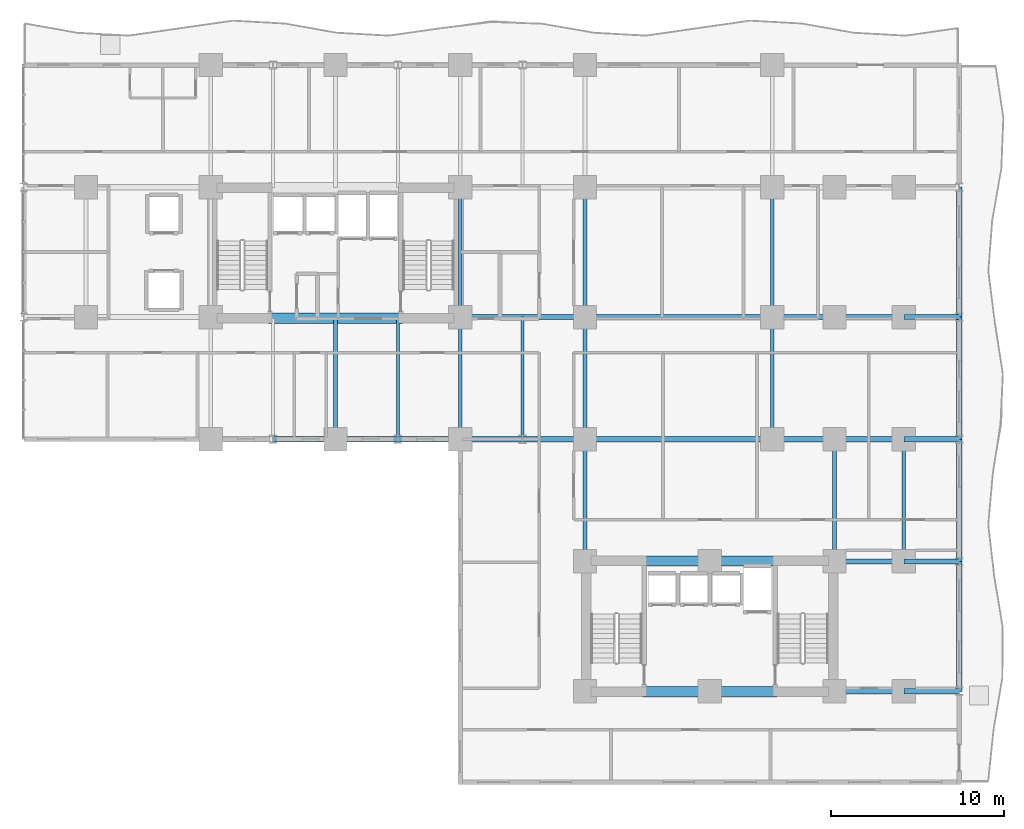
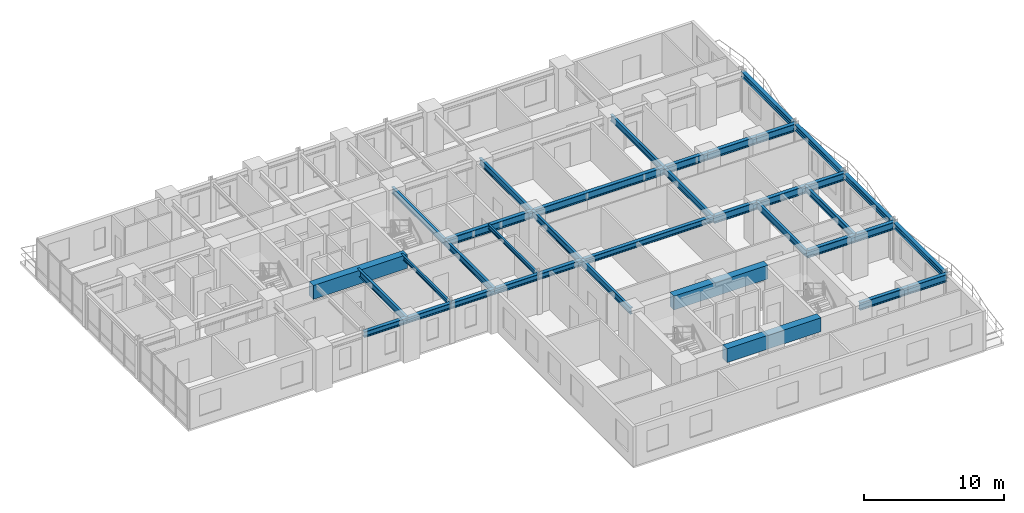
# One storey, part 5 of 19: 37 beams.
"""IFC4 building model written with IfcOpenShell, lengths in metres."""

from ifc_helpers import new_model, si_unit, direction, frame, origin, origin_2d, place, context, subcontext, project, spatial, rectangle, i_section, extrude, source, transform, mapped, material, material_profile, profile_set, type_object, element, save


model = new_model("IFC4")

# Units and contexts
model_context = context("Model", 3, precision=1e-05, world=origin(), true_north=direction((0.0, 1.0)))
body_context = subcontext(model_context, "Body", "Model", "MODEL_VIEW")
ifc_project = project(units=[si_unit("LENGTHUNIT", "METRE"), si_unit("AREAUNIT", "SQUARE_METRE"), si_unit("VOLUMEUNIT", "CUBIC_METRE"), si_unit("PLANEANGLEUNIT", "RADIAN"), si_unit("MASSUNIT", "GRAM", prefix="KILO")], contexts=[model_context])

# Site, building, storey
site_placement = place(None, origin())
site = spatial("IfcSite", under=ifc_project, at=site_placement, CompositionType="ELEMENT")
building_placement = place(site_placement, origin())
building = spatial("IfcBuilding", under=site, at=building_placement, Name="Kaliganga Portal Commons", CompositionType="ELEMENT")
storey_placement = place(building_placement, frame((0.0, 0.0, 47.5)))
storey = spatial("IfcBuildingStorey", under=building, at=storey_placement, Name="L11", CompositionType="ELEMENT", Elevation=47.5)

# Beams
ifc_material_1 = material(Name="Concrete C60/75", Category="concrete")
ifc_material_profile_1 = material_profile(ifc_material_1, rectangle(XDim=0.60009765625, YDim=1.199951171875, at=origin_2d()), Name="RC 600x1200")
ifc_profile_set_1 = profile_set([ifc_material_profile_1], Name="Concrete C60/75")
beam_type_1 = type_object("IfcBeamType", Name="BM-CPL-1200", PredefinedType="LINTEL", material=ifc_profile_set_1)
shared_shape_1 = source(origin(), body_context, "Body", "SweptSolid", [
    extrude(rectangle(XDim=0.60009765625, YDim=1.199951171875, at=origin_2d()), origin(), (0.0, 0.0, 1.0), 7.739990234375),
])
for number, where, z_axis, x_axis, name in (
    (1, (17.72998046875, 28.574951171875, 2.85009765625), (1.0, 0.0, 0.0), (0.0, 1.0, 0.0), "BM CPL COREA L11 S"),
    (2, (39.330078125, 7.02490234375, 2.85009765625), (1.0, 0.0, 0.0), (0.0, 1.0, 0.0), "BM CPL COREB L11 S"),
    (3, (39.330078125, 14.574951171875, 2.85009765625), (1.0, 0.0, 0.0), (0.0, 1.0, 0.0), "BM CPL COREB L11 N"),
):
    element("IfcBeam", number, at=place(storey_placement, frame(where, z_axis=z_axis, x_axis=x_axis)), inside=storey, type_object=beam_type_1, Name=name, PredefinedType="LINTEL", context=body_context, shape_type="MappedRepresentation", body=[
        mapped(shared_shape_1, transform((0.0, 0.0, 0.0), x_axis=(1.0, 0.0, 0.0), y_axis=(0.0, 1.0, 0.0), z_axis=(0.0, 0.0, 1.0), scale=1.0)),
    ])
ifc_material_2 = material(Name="Structural steel S355J2", Category="steel")
ifc_material_profile_2 = material_profile(ifc_material_2, i_section(OverallWidth=0.300048828125, OverallDepth=0.5, WebThickness=0.014404296875, FlangeThickness=0.028076171875, FilletRadius=0.027099609375, at=origin_2d()), Name="HE 500 B")
ifc_profile_set_2 = profile_set([ifc_material_profile_2], Name="Structural steel S355J2 wide-flange")
beam_type_2 = type_object("IfcBeamType", Name="BM-SPAND-500", PredefinedType="SPANDREL", material=ifc_profile_set_2)
shared_shape_2 = source(origin(), body_context, "Body", "SweptSolid", [
    extrude(i_section(OverallWidth=0.300048828125, OverallDepth=0.5, WebThickness=0.014404296875, FlangeThickness=0.028076171875, FilletRadius=0.027099609375, at=origin_2d()), origin(), (0.0, 0.0, 1.0), 10.800048828125),
])
beam_1_placement = place(storey_placement, frame((36.0, 21.60009765625, 3.199951171875), z_axis=(1.0, 0.0, 0.0), x_axis=(0.0, 1.0, 0.0)))
element("IfcBeam", 4, at=beam_1_placement, inside=storey, type_object=beam_type_2, Name="BM SP L11 AS 7", PredefinedType="SPANDREL", context=body_context, shape_type="MappedRepresentation", body=[
    mapped(shared_shape_2, transform((0.0, 0.0, 0.0), x_axis=(1.0, 0.0, 0.0), y_axis=(0.0, 1.0, 0.0), z_axis=(0.0, 0.0, 1.0), scale=1.0)),
])
shared_shape_3 = source(origin(), body_context, "Body", "SweptSolid", [
    extrude(i_section(OverallWidth=0.300048828125, OverallDepth=0.5, WebThickness=0.014404296875, FlangeThickness=0.028076171875, FilletRadius=0.027099609375, at=origin_2d()), origin(), (0.0, 0.0, 1.0), 7.5),
])
for number, where, z_axis, x_axis, name in (
    (5, (57.60009765625, 7.050048828125, 3.199951171875), (0.0, 1.0, 0.0), (-1.0, 0.0, 0.0), "BM SP L11 BE 1"),
    (6, (57.60009765625, 28.64990234375, 3.199951171875), (0.0, 1.0, 0.0), (-1.0, 0.0, 0.0), "BM SP L11 BE 4"),
):
    element("IfcBeam", number, at=place(storey_placement, frame(where, z_axis=z_axis, x_axis=x_axis)), inside=storey, type_object=beam_type_2, Name=name, PredefinedType="SPANDREL", context=body_context, shape_type="MappedRepresentation", body=[
        mapped(shared_shape_3, transform((0.0, 0.0, 0.0), x_axis=(1.0, 0.0, 0.0), y_axis=(0.0, 1.0, 0.0), z_axis=(0.0, 0.0, 1.0), scale=1.0)),
    ])
shared_shape_4 = source(origin(), body_context, "Body", "SweptSolid", [
    extrude(i_section(OverallWidth=0.300048828125, OverallDepth=0.5, WebThickness=0.014404296875, FlangeThickness=0.028076171875, FilletRadius=0.027099609375, at=origin_2d()), origin(), (0.0, 0.0, 1.0), 7.050048828125),
])
beam_2_placement = place(storey_placement, frame((57.60009765625, 14.550048828125, 3.199951171875), z_axis=(0.0, 1.0, 0.0), x_axis=(-1.0, 0.0, 0.0)))
element("IfcBeam", 7, at=beam_2_placement, inside=storey, type_object=beam_type_2, Name="BM SP L11 BE 2", PredefinedType="SPANDREL", context=body_context, shape_type="MappedRepresentation", body=[
    mapped(shared_shape_4, transform((0.0, 0.0, 0.0), x_axis=(1.0, 0.0, 0.0), y_axis=(0.0, 1.0, 0.0), z_axis=(0.0, 0.0, 1.0), scale=1.0)),
])
shared_shape_5 = source(origin(), body_context, "Body", "SweptSolid", [
    extrude(i_section(OverallWidth=0.300048828125, OverallDepth=0.5, WebThickness=0.014404296875, FlangeThickness=0.028076171875, FilletRadius=0.027099609375, at=origin_2d()), origin(), (0.0, 0.0, 1.0), 7.0498046875),
])
beam_3_placement = place(storey_placement, frame((57.60009765625, 21.60009765625, 3.199951171875), z_axis=(0.0, 1.0, 0.0), x_axis=(-1.0, 0.0, 0.0)))
element("IfcBeam", 8, at=beam_3_placement, inside=storey, type_object=beam_type_2, Name="BM SP L11 BE 3", PredefinedType="SPANDREL", context=body_context, shape_type="MappedRepresentation", body=[
    mapped(shared_shape_5, transform((0.0, 0.0, 0.0), x_axis=(1.0, 0.0, 0.0), y_axis=(0.0, 1.0, 0.0), z_axis=(0.0, 0.0, 1.0), scale=1.0)),
])
shared_shape_6 = source(origin(), body_context, "Body", "SweptSolid", [
    extrude(i_section(OverallWidth=0.300048828125, OverallDepth=0.5, WebThickness=0.014404296875, FlangeThickness=0.028076171875, FilletRadius=0.027099609375, at=origin_2d()), origin(), (0.0, 0.0, 1.0), 3.60009765625),
])
for number, where, z_axis, x_axis, name in (
    (9, (18.0, 21.60009765625, 3.199951171875), (1.0, 0.0, 0.0), (0.0, 1.0, 0.0), "BM SP L11 AS 2"),
    (10, (25.199951171875, 21.60009765625, 3.199951171875), (1.0, 0.0, 0.0), (0.0, 1.0, 0.0), "BM SP L11 AS 4"),
    (11, (32.39990234375, 21.60009765625, 3.199951171875), (1.0, 0.0, 0.0), (0.0, 1.0, 0.0), "BM SP L11 AS 6"),
):
    element("IfcBeam", number, at=place(storey_placement, frame(where, z_axis=z_axis, x_axis=x_axis)), inside=storey, type_object=beam_type_2, Name=name, PredefinedType="SPANDREL", context=body_context, shape_type="MappedRepresentation", body=[
        mapped(shared_shape_6, transform((0.0, 0.0, 0.0), x_axis=(1.0, 0.0, 0.0), y_axis=(0.0, 1.0, 0.0), z_axis=(0.0, 0.0, 1.0), scale=1.0)),
    ])
shared_shape_7 = source(origin(), body_context, "Body", "SweptSolid", [
    extrude(i_section(OverallWidth=0.300048828125, OverallDepth=0.5, WebThickness=0.014404296875, FlangeThickness=0.028076171875, FilletRadius=0.027099609375, at=origin_2d()), origin(), (0.0, 0.0, 1.0), 3.599853515625),
])
for number, where, z_axis, x_axis, name in (
    (12, (21.60009765625, 21.60009765625, 3.199951171875), (1.0, 0.0, 0.0), (0.0, 1.0, 0.0), "BM SP L11 AS 3"),
    (13, (28.800048828125, 21.60009765625, 3.199951171875), (1.0, 0.0, 0.0), (0.0, 1.0, 0.0), "BM SP L11 AS 5"),
):
    element("IfcBeam", number, at=place(storey_placement, frame(where, z_axis=z_axis, x_axis=x_axis)), inside=storey, type_object=beam_type_2, Name=name, PredefinedType="SPANDREL", context=body_context, shape_type="MappedRepresentation", body=[
        mapped(shared_shape_7, transform((0.0, 0.0, 0.0), x_axis=(1.0, 0.0, 0.0), y_axis=(0.0, 1.0, 0.0), z_axis=(0.0, 0.0, 1.0), scale=1.0)),
    ])
ifc_material_profile_3 = material_profile(ifc_material_2, i_section(OverallWidth=0.300048828125, OverallDepth=0.64990234375, WebThickness=0.01611328125, FlangeThickness=0.031005859375, FilletRadius=0.027099609375, at=origin_2d()), Name="HE 650 B")
ifc_profile_set_3 = profile_set([ifc_material_profile_3], Name="Structural steel S355J2 wide-flange")
beam_type_3 = type_object("IfcBeamType", Name="BM-GIRD-650", PredefinedType="USERDEFINED", material=ifc_profile_set_3)
shared_shape_8 = source(origin(), body_context, "Body", "SweptSolid", [
    extrude(i_section(OverallWidth=0.300048828125, OverallDepth=0.64990234375, WebThickness=0.01611328125, FlangeThickness=0.031005859375, FilletRadius=0.027099609375, at=origin_2d()), origin(), (0.0, 0.0, 1.0), 3.599853515625),
])
for number, where, z_axis, x_axis, name in (
    (14, (46.800048828125, 21.60009765625, 3.125), (1.0, 0.0, 0.0), (0.0, 1.0, 0.0), "BM G L11 BKE216 1"),
    (15, (46.800048828125, 28.64990234375, 3.125), (1.0, 0.0, 0.0), (0.0, 1.0, 0.0), "BM G L11 BKE286 1"),
):
    element("IfcBeam", number, at=place(storey_placement, frame(where, z_axis=z_axis, x_axis=x_axis)), inside=storey, type_object=beam_type_3, Name=name, ObjectType="GIRDER", PredefinedType="USERDEFINED", context=body_context, shape_type="MappedRepresentation", body=[
        mapped(shared_shape_8, transform((0.0, 0.0, 0.0), x_axis=(1.0, 0.0, 0.0), y_axis=(0.0, 1.0, 0.0), z_axis=(0.0, 0.0, 1.0), scale=1.0)),
    ])
shared_shape_9 = source(origin(), body_context, "Body", "SweptSolid", [
    extrude(i_section(OverallWidth=0.300048828125, OverallDepth=0.64990234375, WebThickness=0.01611328125, FlangeThickness=0.031005859375, FilletRadius=0.027099609375, at=origin_2d()), origin(), (0.0, 0.0, 1.0), 7.199951171875),
])
beam_4_placement = place(storey_placement, frame((28.800048828125, 28.64990234375, 3.125), z_axis=(1.0, 0.0, 0.0), x_axis=(0.0, 1.0, 0.0)))
element("IfcBeam", 16, at=beam_4_placement, inside=storey, type_object=beam_type_3, Name="BM G L11 WAE_S 1", ObjectType="GIRDER", PredefinedType="USERDEFINED", context=body_context, shape_type="MappedRepresentation", body=[
    mapped(shared_shape_9, transform((0.0, 0.0, 0.0), x_axis=(1.0, 0.0, 0.0), y_axis=(0.0, 1.0, 0.0), z_axis=(0.0, 0.0, 1.0), scale=1.0)),
])
shared_shape_10 = source(origin(), body_context, "Body", "SweptSolid", [
    extrude(i_section(OverallWidth=0.300048828125, OverallDepth=0.64990234375, WebThickness=0.01611328125, FlangeThickness=0.031005859375, FilletRadius=0.027099609375, at=origin_2d()), origin(), (0.0, 0.0, 1.0), 10.800048828125),
])
beam_5_placement = place(storey_placement, frame((36.0, 28.64990234375, 3.125), z_axis=(1.0, 0.0, 0.0), x_axis=(0.0, 1.0, 0.0)))
element("IfcBeam", 17, at=beam_5_placement, inside=storey, type_object=beam_type_3, Name="BM G L11 WAE_S 2", ObjectType="GIRDER", PredefinedType="USERDEFINED", context=body_context, shape_type="MappedRepresentation", body=[
    mapped(shared_shape_10, transform((0.0, 0.0, 0.0), x_axis=(1.0, 0.0, 0.0), y_axis=(0.0, 1.0, 0.0), z_axis=(0.0, 0.0, 1.0), scale=1.0)),
])
ifc_material_profile_4 = material_profile(ifc_material_2, i_section(OverallWidth=0.2099609375, OverallDepth=0.550048828125, WebThickness=0.010986328125, FlangeThickness=0.01708984375, FilletRadius=0.02392578125, at=origin_2d()), Name="IPE 550")
ifc_profile_set_4 = profile_set([ifc_material_profile_4], Name="Structural steel S355J2 wide-flange")
beam_type_4 = type_object("IfcBeamType", Name="BM-FLR-550", PredefinedType="BEAM", material=ifc_profile_set_4)
shared_shape_11 = source(origin(), body_context, "Body", "SweptSolid", [
    extrude(i_section(OverallWidth=0.2099609375, OverallDepth=0.550048828125, WebThickness=0.010986328125, FlangeThickness=0.01708984375, FilletRadius=0.02392578125, at=origin_2d()), origin(), (0.0, 0.0, 1.0), 7.5),
])
for number, where, z_axis, x_axis, name in (
    (18, (28.800048828125, 28.64990234375, 3.175048828125), (0.0, 1.0, 0.0), (-1.0, 0.0, 0.0), "BM G L11 AM288"),
    (19, (36.0, 28.64990234375, 3.175048828125), (0.0, 1.0, 0.0), (-1.0, 0.0, 0.0), "BM G L11 AM360"),
    (20, (46.800048828125, 28.64990234375, 3.175048828125), (0.0, 1.0, 0.0), (-1.0, 0.0, 0.0), "BM G L11 AM468"),
):
    element("IfcBeam", number, at=place(storey_placement, frame(where, z_axis=z_axis, x_axis=x_axis)), inside=storey, type_object=beam_type_4, Name=name, PredefinedType="BEAM", context=body_context, shape_type="MappedRepresentation", body=[
        mapped(shared_shape_11, transform((0.0, 0.0, 0.0), x_axis=(1.0, 0.0, 0.0), y_axis=(0.0, 1.0, 0.0), z_axis=(0.0, 0.0, 1.0), scale=1.0)),
    ])
shared_shape_12 = source(origin(), body_context, "Body", "SweptSolid", [
    extrude(i_section(OverallWidth=0.2099609375, OverallDepth=0.550048828125, WebThickness=0.010986328125, FlangeThickness=0.01708984375, FilletRadius=0.02392578125, at=origin_2d()), origin(), (0.0, 0.0, 1.0), 7.050048828125),
])
for number, where, z_axis, x_axis, name in (
    (21, (36.0, 14.550048828125, 3.175048828125), (0.0, 1.0, 0.0), (-1.0, 0.0, 0.0), "BM G L11 BNK360"),
    (22, (50.39990234375, 14.550048828125, 3.175048828125), (0.0, 1.0, 0.0), (-1.0, 0.0, 0.0), "BM G L11 BNK504"),
    (23, (54.39990234375, 14.550048828125, 3.175048828125), (0.0, 1.0, 0.0), (-1.0, 0.0, 0.0), "BM G L11 BNK544"),
):
    element("IfcBeam", number, at=place(storey_placement, frame(where, z_axis=z_axis, x_axis=x_axis)), inside=storey, type_object=beam_type_4, Name=name, PredefinedType="BEAM", context=body_context, shape_type="MappedRepresentation", body=[
        mapped(shared_shape_12, transform((0.0, 0.0, 0.0), x_axis=(1.0, 0.0, 0.0), y_axis=(0.0, 1.0, 0.0), z_axis=(0.0, 0.0, 1.0), scale=1.0)),
    ])
shared_shape_13 = source(origin(), body_context, "Body", "SweptSolid", [
    extrude(i_section(OverallWidth=0.2099609375, OverallDepth=0.550048828125, WebThickness=0.010986328125, FlangeThickness=0.01708984375, FilletRadius=0.02392578125, at=origin_2d()), origin(), (0.0, 0.0, 1.0), 7.0498046875),
])
for number, where, z_axis, x_axis, name in (
    (24, (28.800048828125, 21.60009765625, 3.175048828125), (0.0, 1.0, 0.0), (-1.0, 0.0, 0.0), "BM G L11 AS288"),
    (25, (36.0, 21.60009765625, 3.175048828125), (0.0, 1.0, 0.0), (-1.0, 0.0, 0.0), "BM G L11 AS360"),
    (26, (46.800048828125, 21.60009765625, 3.175048828125), (0.0, 1.0, 0.0), (-1.0, 0.0, 0.0), "BM G L11 AS468"),
):
    element("IfcBeam", number, at=place(storey_placement, frame(where, z_axis=z_axis, x_axis=x_axis)), inside=storey, type_object=beam_type_4, Name=name, PredefinedType="BEAM", context=body_context, shape_type="MappedRepresentation", body=[
        mapped(shared_shape_13, transform((0.0, 0.0, 0.0), x_axis=(1.0, 0.0, 0.0), y_axis=(0.0, 1.0, 0.0), z_axis=(0.0, 0.0, 1.0), scale=1.0)),
    ])
ifc_material_profile_5 = material_profile(ifc_material_2, i_section(OverallWidth=0.169921875, OverallDepth=0.360107421875, WebThickness=0.008056640625, FlangeThickness=0.0126953125, FilletRadius=0.01806640625, at=origin_2d()), Name="IPE 360")
ifc_profile_set_5 = profile_set([ifc_material_profile_5], Name="Structural steel S355J2 wide-flange")
beam_type_5 = type_object("IfcBeamType", Name="BM-JST-360", PredefinedType="JOIST", material=ifc_profile_set_5)
shared_shape_14 = source(origin(), body_context, "Body", "SweptSolid", [
    extrude(i_section(OverallWidth=0.169921875, OverallDepth=0.360107421875, WebThickness=0.008056640625, FlangeThickness=0.0126953125, FilletRadius=0.01806640625, at=origin_2d()), origin(), (0.0, 0.0, 1.0), 6.974853515625),
])
beam_6_placement = place(storey_placement, frame((25.199951171875, 21.60009765625, 3.27001953125), z_axis=(0.0, 1.0, 0.0), x_axis=(-1.0, 0.0, 0.0)))
element("IfcBeam", 27, at=beam_6_placement, inside=storey, type_object=beam_type_5, Name="BM G L11 AS252", PredefinedType="JOIST", context=body_context, shape_type="MappedRepresentation", body=[
    mapped(shared_shape_14, transform((0.0, 0.0, 0.0), x_axis=(1.0, 0.0, 0.0), y_axis=(0.0, 1.0, 0.0), z_axis=(0.0, 0.0, 1.0), scale=1.0)),
])
shared_shape_15 = source(origin(), body_context, "Body", "SweptSolid", [
    extrude(i_section(OverallWidth=0.2099609375, OverallDepth=0.550048828125, WebThickness=0.010986328125, FlangeThickness=0.01708984375, FilletRadius=0.02392578125, at=origin_2d()), origin(), (0.0, 0.0, 1.0), 6.974853515625),
])
beam_7_placement = place(storey_placement, frame((21.60009765625, 21.60009765625, 3.175048828125), z_axis=(0.0, 1.0, 0.0), x_axis=(-1.0, 0.0, 0.0)))
element("IfcBeam", 28, at=beam_7_placement, inside=storey, type_object=beam_type_4, Name="BM G L11 AS216", PredefinedType="BEAM", context=body_context, shape_type="MappedRepresentation", body=[
    mapped(shared_shape_15, transform((0.0, 0.0, 0.0), x_axis=(1.0, 0.0, 0.0), y_axis=(0.0, 1.0, 0.0), z_axis=(0.0, 0.0, 1.0), scale=1.0)),
])
shared_shape_16 = source(origin(), body_context, "Body", "SweptSolid", [
    extrude(i_section(OverallWidth=0.169921875, OverallDepth=0.360107421875, WebThickness=0.008056640625, FlangeThickness=0.0126953125, FilletRadius=0.01806640625, at=origin_2d()), origin(), (0.0, 0.0, 1.0), 7.0498046875),
])
beam_8_placement = place(storey_placement, frame((32.39990234375, 21.60009765625, 3.27001953125), z_axis=(0.0, 1.0, 0.0), x_axis=(-1.0, 0.0, 0.0)))
element("IfcBeam", 29, at=beam_8_placement, inside=storey, type_object=beam_type_5, Name="BM G L11 AS324", PredefinedType="JOIST", context=body_context, shape_type="MappedRepresentation", body=[
    mapped(shared_shape_16, transform((0.0, 0.0, 0.0), x_axis=(1.0, 0.0, 0.0), y_axis=(0.0, 1.0, 0.0), z_axis=(0.0, 0.0, 1.0), scale=1.0)),
])
shared_shape_17 = source(origin(), body_context, "Body", "SweptSolid", [
    extrude(i_section(OverallWidth=0.300048828125, OverallDepth=0.64990234375, WebThickness=0.01611328125, FlangeThickness=0.031005859375, FilletRadius=0.027099609375, at=origin_2d()), origin(), (0.0, 0.0, 1.0), 4.0),
])
for number, where, z_axis, x_axis, name in (
    (30, (50.39990234375, 7.050048828125, 3.125), (1.0, 0.0, 0.0), (0.0, 1.0, 0.0), "BM G L11 BKE70 1"),
    (31, (50.39990234375, 14.550048828125, 3.125), (1.0, 0.0, 0.0), (0.0, 1.0, 0.0), "BM G L11 BKE146 1"),
    (32, (50.39990234375, 21.60009765625, 3.125), (1.0, 0.0, 0.0), (0.0, 1.0, 0.0), "BM G L11 BKE216 2"),
    (33, (50.39990234375, 28.64990234375, 3.125), (1.0, 0.0, 0.0), (0.0, 1.0, 0.0), "BM G L11 BKE286 2"),
):
    element("IfcBeam", number, at=place(storey_placement, frame(where, z_axis=z_axis, x_axis=x_axis)), inside=storey, type_object=beam_type_3, Name=name, ObjectType="GIRDER", PredefinedType="USERDEFINED", context=body_context, shape_type="MappedRepresentation", body=[
        mapped(shared_shape_17, transform((0.0, 0.0, 0.0), x_axis=(1.0, 0.0, 0.0), y_axis=(0.0, 1.0, 0.0), z_axis=(0.0, 0.0, 1.0), scale=1.0)),
    ])
shared_shape_18 = source(origin(), body_context, "Body", "SweptSolid", [
    extrude(i_section(OverallWidth=0.300048828125, OverallDepth=0.64990234375, WebThickness=0.01611328125, FlangeThickness=0.031005859375, FilletRadius=0.027099609375, at=origin_2d()), origin(), (0.0, 0.0, 1.0), 3.2001953125),
])
for number, where, z_axis, x_axis, name in (
    (34, (54.39990234375, 7.050048828125, 3.125), (1.0, 0.0, 0.0), (0.0, 1.0, 0.0), "BM G L11 BKE70 2"),
    (35, (54.39990234375, 14.550048828125, 3.125), (1.0, 0.0, 0.0), (0.0, 1.0, 0.0), "BM G L11 BKE146 2"),
    (36, (54.39990234375, 21.60009765625, 3.125), (1.0, 0.0, 0.0), (0.0, 1.0, 0.0), "BM G L11 BKE216 3"),
    (37, (54.39990234375, 28.64990234375, 3.125), (1.0, 0.0, 0.0), (0.0, 1.0, 0.0), "BM G L11 BKE286 3"),
):
    element("IfcBeam", number, at=place(storey_placement, frame(where, z_axis=z_axis, x_axis=x_axis)), inside=storey, type_object=beam_type_3, Name=name, ObjectType="GIRDER", PredefinedType="USERDEFINED", context=body_context, shape_type="MappedRepresentation", body=[
        mapped(shared_shape_18, transform((0.0, 0.0, 0.0), x_axis=(1.0, 0.0, 0.0), y_axis=(0.0, 1.0, 0.0), z_axis=(0.0, 0.0, 1.0), scale=1.0)),
    ])

save(model, "model.ifc")
